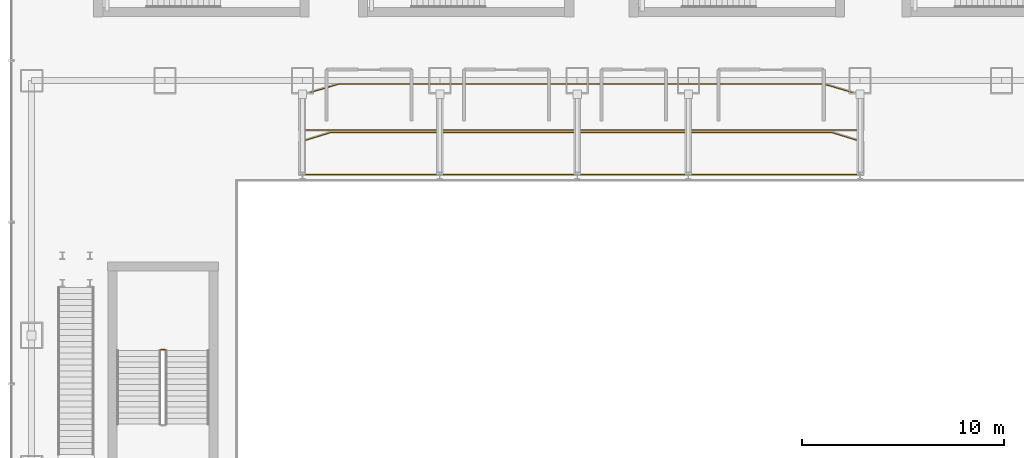
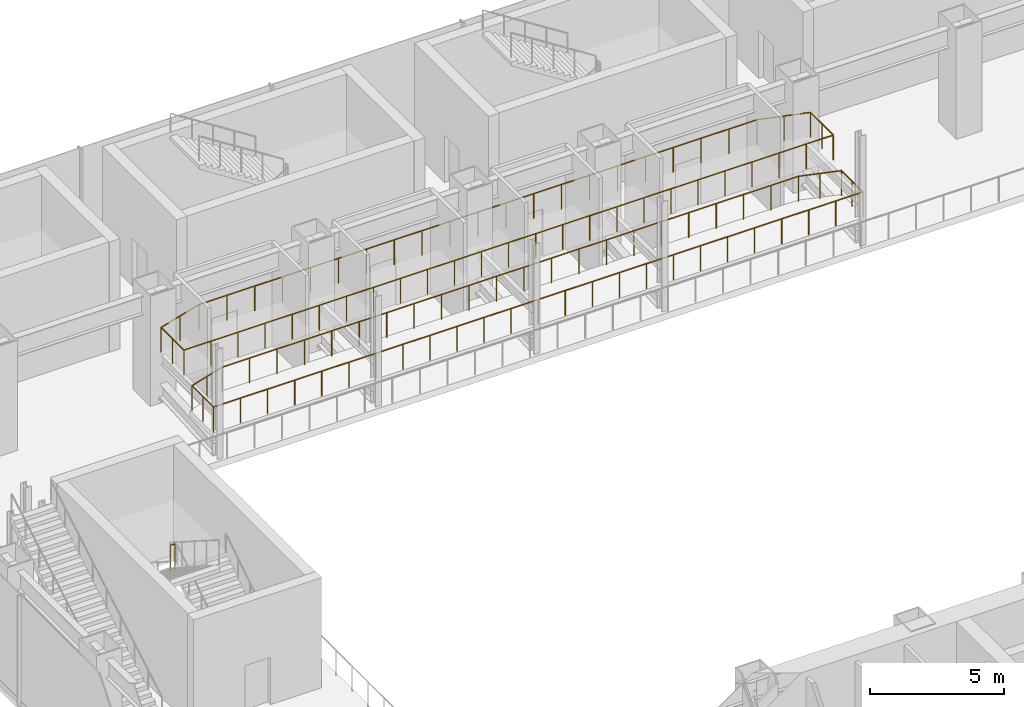
# One storey, part 36 of 40: 3 railings.
"""IFC4 building model written with IfcOpenShell, lengths in metres."""

from ifc_helpers import new_model, si_unit, derived_unit, direction, frame, origin, origin_2d, place, context, subcontext, project, spatial, circle, extrude, material, type_object, element, save


model = new_model("IFC4")

# Units and contexts
model_context = context("Model", 3, precision=1e-05, world=origin(), true_north=direction((0.0, 1.0)))
body_context = subcontext(model_context, "Body", "Model", "MODEL_VIEW")
ifc_project = project(units=[si_unit("LENGTHUNIT", "METRE"), si_unit("AREAUNIT", "SQUARE_METRE"), si_unit("VOLUMEUNIT", "CUBIC_METRE"), si_unit("PLANEANGLEUNIT", "RADIAN"), si_unit("MASSUNIT", "GRAM", prefix="KILO"), derived_unit("THERMALTRANSMITTANCEUNIT", [(si_unit("POWERUNIT", "WATT"), 1), (si_unit("LENGTHUNIT", "METRE"), -2), (si_unit("THERMODYNAMICTEMPERATUREUNIT", "KELVIN"), -1)])], contexts=[model_context])

# Site, building, storey
site_placement = place(None, origin())
site = spatial("IfcSite", under=ifc_project, at=site_placement, CompositionType="ELEMENT")
building_placement = place(site_placement, origin())
building = spatial("IfcBuilding", under=site, at=building_placement, Name="Skarnbrae Concourse Arena and Tower", CompositionType="ELEMENT")
storey_placement = place(building_placement, frame((0.0, 0.0, 6.0)))
storey = spatial("IfcBuildingStorey", under=building, at=storey_placement, Name="L01", CompositionType="ELEMENT", Elevation=6.0)

# Railings
ifc_material = material(Name="Steel CSA G40.21 350W", Category="steel")
railing_type_1 = type_object("IfcRailingType", Name="RAIL-GUARD-1150", PredefinedType="GUARDRAIL", material=ifc_material)
railing_1_placement = place(storey_placement, frame((14.260009765625, 42.360107421875, 1.1201171875)))
element("IfcRailing", 1, at=railing_1_placement, inside=storey, type_object=railing_type_1, Name="L01 Arena seating tier lower terrace guardrail", PredefinedType="GUARDRAIL", context=body_context, shape_type="SweptSolid", body=[
    extrude(circle(Radius=0.02392578125, at=origin_2d()), frame((0.0, 0.0, 1.1259765625), z_axis=(1.0, 0.0, 0.0), x_axis=(0.0, 1.0, 0.0)), (0.0, 0.0, 1.0), 27.8798828125),
    extrude(circle(Radius=0.02392578125, at=origin_2d()), frame((27.8798828125, 0.0, 1.1259765625), z_axis=(0.0, 1.0, 0.0), x_axis=(-1.0, 0.0, 0.0)), (0.0, 0.0, 1.0), 1.599853515625),
    extrude(circle(Radius=0.02392578125, at=origin_2d()), frame((27.8798828125, 1.599853515625, 1.1259765625), z_axis=(-0.955772539449, 0.29410687315, 0.0), x_axis=(-0.29410687315, -0.955772539449, 0.0)), (0.0, 0.0, 1.0), 1.632080078125),
    extrude(circle(Radius=0.02392578125, at=origin_2d()), frame((26.320068359375, 2.079833984375, 1.1259765625), z_axis=(-1.0, 0.0, 0.0), x_axis=(0.0, -1.0, 0.0)), (0.0, 0.0, 1.0), 24.760009765625),
    extrude(circle(Radius=0.02392578125, at=origin_2d()), frame((1.56005859375, 2.079833984375, 1.1259765625), z_axis=(-0.955785476607, -0.294064827388, 0.0), x_axis=(0.294064827388, -0.955785476607, 0.0)), (0.0, 0.0, 1.0), 1.63232421875),
    extrude(circle(Radius=0.02392578125, at=origin_2d()), frame((0.0, 1.599853515625, 1.1259765625), z_axis=(0.0, -1.0, 0.0), x_axis=(1.0, 0.0, 0.0)), (0.0, 0.0, 1.0), 1.599853515625),
    extrude(circle(Radius=0.02099609375, at=origin_2d()), origin(), (0.0, 0.0, 1.0), 1.101806640625),
    extrude(circle(Radius=0.02099609375, at=origin_2d()), frame((1.16162109375, 0.0, 0.0)), (0.0, 0.0, 1.0), 1.101806640625),
    extrude(circle(Radius=0.02099609375, at=origin_2d()), frame((2.3232421875, 0.0, 0.0)), (0.0, 0.0, 1.0), 1.101806640625),
    extrude(circle(Radius=0.02099609375, at=origin_2d()), frame((3.48486328125, 0.0, 0.0)), (0.0, 0.0, 1.0), 1.101806640625),
    extrude(circle(Radius=0.02099609375, at=origin_2d()), frame((4.646728515625, 0.0, 0.0)), (0.0, 0.0, 1.0), 1.101806640625),
    extrude(circle(Radius=0.02099609375, at=origin_2d()), frame((5.808349609375, 0.0, 0.0)), (0.0, 0.0, 1.0), 1.101806640625),
    extrude(circle(Radius=0.02099609375, at=origin_2d()), frame((6.969970703125, 0.0, 0.0)), (0.0, 0.0, 1.0), 1.101806640625),
    extrude(circle(Radius=0.02099609375, at=origin_2d()), frame((8.131591796875, 0.0, 0.0)), (0.0, 0.0, 1.0), 1.101806640625),
    extrude(circle(Radius=0.02099609375, at=origin_2d()), frame((9.293212890625, 0.0, 0.0)), (0.0, 0.0, 1.0), 1.101806640625),
    extrude(circle(Radius=0.02099609375, at=origin_2d()), frame((10.455078125, 0.0, 0.0)), (0.0, 0.0, 1.0), 1.101806640625),
    extrude(circle(Radius=0.02099609375, at=origin_2d()), frame((11.61669921875, 0.0, 0.0)), (0.0, 0.0, 1.0), 1.101806640625),
    extrude(circle(Radius=0.02099609375, at=origin_2d()), frame((12.7783203125, 0.0, 0.0)), (0.0, 0.0, 1.0), 1.101806640625),
    extrude(circle(Radius=0.02099609375, at=origin_2d()), frame((13.93994140625, 0.0, 0.0)), (0.0, 0.0, 1.0), 1.101806640625),
    extrude(circle(Radius=0.02099609375, at=origin_2d()), frame((15.1015625, 0.0, 0.0)), (0.0, 0.0, 1.0), 1.101806640625),
    extrude(circle(Radius=0.02099609375, at=origin_2d()), frame((16.26318359375, 0.0, 0.0)), (0.0, 0.0, 1.0), 1.101806640625),
    extrude(circle(Radius=0.02099609375, at=origin_2d()), frame((17.4248046875, 0.0, 0.0)), (0.0, 0.0, 1.0), 1.101806640625),
    extrude(circle(Radius=0.02099609375, at=origin_2d()), frame((18.586669921875, 0.0, 0.0)), (0.0, 0.0, 1.0), 1.101806640625),
    extrude(circle(Radius=0.02099609375, at=origin_2d()), frame((19.748291015625, 0.0, 0.0)), (0.0, 0.0, 1.0), 1.101806640625),
    extrude(circle(Radius=0.02099609375, at=origin_2d()), frame((20.909912109375, 0.0, 0.0)), (0.0, 0.0, 1.0), 1.101806640625),
    extrude(circle(Radius=0.02099609375, at=origin_2d()), frame((22.071533203125, 0.0, 0.0)), (0.0, 0.0, 1.0), 1.101806640625),
    extrude(circle(Radius=0.02099609375, at=origin_2d()), frame((23.233154296875, 0.0, 0.0)), (0.0, 0.0, 1.0), 1.101806640625),
    extrude(circle(Radius=0.02099609375, at=origin_2d()), frame((24.39501953125, 0.0, 0.0)), (0.0, 0.0, 1.0), 1.101806640625),
    extrude(circle(Radius=0.02099609375, at=origin_2d()), frame((25.556640625, 0.0, 0.0)), (0.0, 0.0, 1.0), 1.101806640625),
    extrude(circle(Radius=0.02099609375, at=origin_2d()), frame((26.71826171875, 0.0, 0.0)), (0.0, 0.0, 1.0), 1.101806640625),
    extrude(circle(Radius=0.02099609375, at=origin_2d()), frame((27.8798828125, 0.0, 0.0)), (0.0, 0.0, 1.0), 1.101806640625),
    extrude(circle(Radius=0.02099609375, at=origin_2d()), frame((27.8798828125, 0.7998046875, 0.0)), (0.0, 0.0, 1.0), 1.101806640625),
    extrude(circle(Radius=0.02099609375, at=origin_2d()), frame((27.8798828125, 1.599853515625, 0.0)), (0.0, 0.0, 1.0), 1.101806640625),
    extrude(circle(Radius=0.02099609375, at=origin_2d()), frame((27.10009765625, 1.83984375, 0.0)), (0.0, 0.0, 1.0), 1.101806640625),
    extrude(circle(Radius=0.02099609375, at=origin_2d()), frame((26.320068359375, 2.079833984375, 0.0)), (0.0, 0.0, 1.0), 1.101806640625),
    extrude(circle(Radius=0.02099609375, at=origin_2d()), frame((25.14111328125, 2.079833984375, 0.0)), (0.0, 0.0, 1.0), 1.101806640625),
    extrude(circle(Radius=0.02099609375, at=origin_2d()), frame((23.9619140625, 2.079833984375, 0.0)), (0.0, 0.0, 1.0), 1.101806640625),
    extrude(circle(Radius=0.02099609375, at=origin_2d()), frame((22.782958984375, 2.079833984375, 0.0)), (0.0, 0.0, 1.0), 1.101806640625),
    extrude(circle(Radius=0.02099609375, at=origin_2d()), frame((21.603759765625, 2.079833984375, 0.0)), (0.0, 0.0, 1.0), 1.101806640625),
    extrude(circle(Radius=0.02099609375, at=origin_2d()), frame((20.4248046875, 2.079833984375, 0.0)), (0.0, 0.0, 1.0), 1.101806640625),
    extrude(circle(Radius=0.02099609375, at=origin_2d()), frame((19.245849609375, 2.079833984375, 0.0)), (0.0, 0.0, 1.0), 1.101806640625),
    extrude(circle(Radius=0.02099609375, at=origin_2d()), frame((18.066650390625, 2.079833984375, 0.0)), (0.0, 0.0, 1.0), 1.101806640625),
    extrude(circle(Radius=0.02099609375, at=origin_2d()), frame((16.8876953125, 2.079833984375, 0.0)), (0.0, 0.0, 1.0), 1.101806640625),
    extrude(circle(Radius=0.02099609375, at=origin_2d()), frame((15.708740234375, 2.079833984375, 0.0)), (0.0, 0.0, 1.0), 1.101806640625),
    extrude(circle(Radius=0.02099609375, at=origin_2d()), frame((14.529541015625, 2.079833984375, 0.0)), (0.0, 0.0, 1.0), 1.101806640625),
    extrude(circle(Radius=0.02099609375, at=origin_2d()), frame((13.3505859375, 2.079833984375, 0.0)), (0.0, 0.0, 1.0), 1.101806640625),
    extrude(circle(Radius=0.02099609375, at=origin_2d()), frame((12.17138671875, 2.079833984375, 0.0)), (0.0, 0.0, 1.0), 1.101806640625),
    extrude(circle(Radius=0.02099609375, at=origin_2d()), frame((10.992431640625, 2.079833984375, 0.0)), (0.0, 0.0, 1.0), 1.101806640625),
    extrude(circle(Radius=0.02099609375, at=origin_2d()), frame((9.8134765625, 2.079833984375, 0.0)), (0.0, 0.0, 1.0), 1.101806640625),
    extrude(circle(Radius=0.02099609375, at=origin_2d()), frame((8.63427734375, 2.079833984375, 0.0)), (0.0, 0.0, 1.0), 1.101806640625),
    extrude(circle(Radius=0.02099609375, at=origin_2d()), frame((7.455322265625, 2.079833984375, 0.0)), (0.0, 0.0, 1.0), 1.101806640625),
    extrude(circle(Radius=0.02099609375, at=origin_2d()), frame((6.2763671875, 2.079833984375, 0.0)), (0.0, 0.0, 1.0), 1.101806640625),
    extrude(circle(Radius=0.02099609375, at=origin_2d()), frame((5.09716796875, 2.079833984375, 0.0)), (0.0, 0.0, 1.0), 1.101806640625),
    extrude(circle(Radius=0.02099609375, at=origin_2d()), frame((3.918212890625, 2.079833984375, 0.0)), (0.0, 0.0, 1.0), 1.101806640625),
    extrude(circle(Radius=0.02099609375, at=origin_2d()), frame((2.739013671875, 2.079833984375, 0.0)), (0.0, 0.0, 1.0), 1.101806640625),
    extrude(circle(Radius=0.02099609375, at=origin_2d()), frame((1.56005859375, 2.079833984375, 0.0)), (0.0, 0.0, 1.0), 1.101806640625),
    extrude(circle(Radius=0.02099609375, at=origin_2d()), frame((0.780029296875, 1.83984375, 0.0)), (0.0, 0.0, 1.0), 1.101806640625),
    extrude(circle(Radius=0.02099609375, at=origin_2d()), frame((0.0, 1.599853515625, 0.0)), (0.0, 0.0, 1.0), 1.101806640625),
    extrude(circle(Radius=0.02099609375, at=origin_2d()), frame((0.0, 0.7998046875, 0.0)), (0.0, 0.0, 1.0), 1.101806640625),
])
railing_2_placement = place(storey_placement, frame((14.260009765625, 44.56005859375, 2.3701171875)))
element("IfcRailing", 2, at=railing_2_placement, inside=storey, type_object=railing_type_1, Name="L01 Arena seating tier upper terrace guardrail", PredefinedType="GUARDRAIL", context=body_context, shape_type="SweptSolid", body=[
    extrude(circle(Radius=0.02392578125, at=origin_2d()), frame((0.0, 0.0, 1.1259765625), z_axis=(1.0, 0.0, 0.0), x_axis=(0.0, 1.0, 0.0)), (0.0, 0.0, 1.0), 27.8798828125),
    extrude(circle(Radius=0.02392578125, at=origin_2d()), frame((27.8798828125, 0.0, 1.1259765625), z_axis=(0.0, 1.0, 0.0), x_axis=(-1.0, 0.0, 0.0)), (0.0, 0.0, 1.0), 1.699951171875),
    extrude(circle(Radius=0.02392578125, at=origin_2d()), frame((27.8798828125, 1.699951171875, 1.1259765625), z_axis=(-0.958884825768, 0.283795508972, 0.0), x_axis=(-0.283795508972, -0.958884825768, 0.0)), (0.0, 0.0, 1.0), 2.0439453125),
    extrude(circle(Radius=0.02392578125, at=origin_2d()), frame((25.919921875, 2.280029296875, 1.1259765625), z_axis=(-1.0, 0.0, 0.0), x_axis=(0.0, -1.0, 0.0)), (0.0, 0.0, 1.0), 23.9599609375),
    extrude(circle(Radius=0.02392578125, at=origin_2d()), frame((1.9599609375, 2.280029296875, 1.1259765625), z_axis=(-0.958884825768, -0.283795508972, 0.0), x_axis=(0.283795508972, -0.958884825768, 0.0)), (0.0, 0.0, 1.0), 2.0439453125),
    extrude(circle(Radius=0.02392578125, at=origin_2d()), frame((0.0, 1.699951171875, 1.1259765625), z_axis=(0.0, -1.0, 0.0), x_axis=(1.0, 0.0, 0.0)), (0.0, 0.0, 1.0), 1.699951171875),
    extrude(circle(Radius=0.02099609375, at=origin_2d()), origin(), (0.0, 0.0, 1.0), 1.101806640625),
    extrude(circle(Radius=0.02099609375, at=origin_2d()), frame((1.16162109375, 0.0, 0.0)), (0.0, 0.0, 1.0), 1.101806640625),
    extrude(circle(Radius=0.02099609375, at=origin_2d()), frame((2.3232421875, 0.0, 0.0)), (0.0, 0.0, 1.0), 1.101806640625),
    extrude(circle(Radius=0.02099609375, at=origin_2d()), frame((3.48486328125, 0.0, 0.0)), (0.0, 0.0, 1.0), 1.101806640625),
    extrude(circle(Radius=0.02099609375, at=origin_2d()), frame((4.646728515625, 0.0, 0.0)), (0.0, 0.0, 1.0), 1.101806640625),
    extrude(circle(Radius=0.02099609375, at=origin_2d()), frame((5.808349609375, 0.0, 0.0)), (0.0, 0.0, 1.0), 1.101806640625),
    extrude(circle(Radius=0.02099609375, at=origin_2d()), frame((6.969970703125, 0.0, 0.0)), (0.0, 0.0, 1.0), 1.101806640625),
    extrude(circle(Radius=0.02099609375, at=origin_2d()), frame((8.131591796875, 0.0, 0.0)), (0.0, 0.0, 1.0), 1.101806640625),
    extrude(circle(Radius=0.02099609375, at=origin_2d()), frame((9.293212890625, 0.0, 0.0)), (0.0, 0.0, 1.0), 1.101806640625),
    extrude(circle(Radius=0.02099609375, at=origin_2d()), frame((10.455078125, 0.0, 0.0)), (0.0, 0.0, 1.0), 1.101806640625),
    extrude(circle(Radius=0.02099609375, at=origin_2d()), frame((11.61669921875, 0.0, 0.0)), (0.0, 0.0, 1.0), 1.101806640625),
    extrude(circle(Radius=0.02099609375, at=origin_2d()), frame((12.7783203125, 0.0, 0.0)), (0.0, 0.0, 1.0), 1.101806640625),
    extrude(circle(Radius=0.02099609375, at=origin_2d()), frame((13.93994140625, 0.0, 0.0)), (0.0, 0.0, 1.0), 1.101806640625),
    extrude(circle(Radius=0.02099609375, at=origin_2d()), frame((15.1015625, 0.0, 0.0)), (0.0, 0.0, 1.0), 1.101806640625),
    extrude(circle(Radius=0.02099609375, at=origin_2d()), frame((16.26318359375, 0.0, 0.0)), (0.0, 0.0, 1.0), 1.101806640625),
    extrude(circle(Radius=0.02099609375, at=origin_2d()), frame((17.4248046875, 0.0, 0.0)), (0.0, 0.0, 1.0), 1.101806640625),
    extrude(circle(Radius=0.02099609375, at=origin_2d()), frame((18.586669921875, 0.0, 0.0)), (0.0, 0.0, 1.0), 1.101806640625),
    extrude(circle(Radius=0.02099609375, at=origin_2d()), frame((19.748291015625, 0.0, 0.0)), (0.0, 0.0, 1.0), 1.101806640625),
    extrude(circle(Radius=0.02099609375, at=origin_2d()), frame((20.909912109375, 0.0, 0.0)), (0.0, 0.0, 1.0), 1.101806640625),
    extrude(circle(Radius=0.02099609375, at=origin_2d()), frame((22.071533203125, 0.0, 0.0)), (0.0, 0.0, 1.0), 1.101806640625),
    extrude(circle(Radius=0.02099609375, at=origin_2d()), frame((23.233154296875, 0.0, 0.0)), (0.0, 0.0, 1.0), 1.101806640625),
    extrude(circle(Radius=0.02099609375, at=origin_2d()), frame((24.39501953125, 0.0, 0.0)), (0.0, 0.0, 1.0), 1.101806640625),
    extrude(circle(Radius=0.02099609375, at=origin_2d()), frame((25.556640625, 0.0, 0.0)), (0.0, 0.0, 1.0), 1.101806640625),
    extrude(circle(Radius=0.02099609375, at=origin_2d()), frame((26.71826171875, 0.0, 0.0)), (0.0, 0.0, 1.0), 1.101806640625),
    extrude(circle(Radius=0.02099609375, at=origin_2d()), frame((27.8798828125, 0.0, 0.0)), (0.0, 0.0, 1.0), 1.101806640625),
    extrude(circle(Radius=0.02099609375, at=origin_2d()), frame((27.8798828125, 0.85009765625, 0.0)), (0.0, 0.0, 1.0), 1.101806640625),
    extrude(circle(Radius=0.02099609375, at=origin_2d()), frame((27.8798828125, 1.699951171875, 0.0)), (0.0, 0.0, 1.0), 1.101806640625),
    extrude(circle(Radius=0.02099609375, at=origin_2d()), frame((26.89990234375, 1.989990234375, 0.0)), (0.0, 0.0, 1.0), 1.101806640625),
    extrude(circle(Radius=0.02099609375, at=origin_2d()), frame((25.919921875, 2.280029296875, 0.0)), (0.0, 0.0, 1.0), 1.101806640625),
    extrude(circle(Radius=0.02099609375, at=origin_2d()), frame((24.721923828125, 2.280029296875, 0.0)), (0.0, 0.0, 1.0), 1.101806640625),
    extrude(circle(Radius=0.02099609375, at=origin_2d()), frame((23.52392578125, 2.280029296875, 0.0)), (0.0, 0.0, 1.0), 1.101806640625),
    extrude(circle(Radius=0.02099609375, at=origin_2d()), frame((22.325927734375, 2.280029296875, 0.0)), (0.0, 0.0, 1.0), 1.101806640625),
    extrude(circle(Radius=0.02099609375, at=origin_2d()), frame((21.1279296875, 2.280029296875, 0.0)), (0.0, 0.0, 1.0), 1.101806640625),
    extrude(circle(Radius=0.02099609375, at=origin_2d()), frame((19.929931640625, 2.280029296875, 0.0)), (0.0, 0.0, 1.0), 1.101806640625),
    extrude(circle(Radius=0.02099609375, at=origin_2d()), frame((18.73193359375, 2.280029296875, 0.0)), (0.0, 0.0, 1.0), 1.101806640625),
    extrude(circle(Radius=0.02099609375, at=origin_2d()), frame((17.533935546875, 2.280029296875, 0.0)), (0.0, 0.0, 1.0), 1.101806640625),
    extrude(circle(Radius=0.02099609375, at=origin_2d()), frame((16.3359375, 2.280029296875, 0.0)), (0.0, 0.0, 1.0), 1.101806640625),
    extrude(circle(Radius=0.02099609375, at=origin_2d()), frame((15.137939453125, 2.280029296875, 0.0)), (0.0, 0.0, 1.0), 1.101806640625),
    extrude(circle(Radius=0.02099609375, at=origin_2d()), frame((13.93994140625, 2.280029296875, 0.0)), (0.0, 0.0, 1.0), 1.101806640625),
    extrude(circle(Radius=0.02099609375, at=origin_2d()), frame((12.741943359375, 2.280029296875, 0.0)), (0.0, 0.0, 1.0), 1.101806640625),
    extrude(circle(Radius=0.02099609375, at=origin_2d()), frame((11.5439453125, 2.280029296875, 0.0)), (0.0, 0.0, 1.0), 1.101806640625),
    extrude(circle(Radius=0.02099609375, at=origin_2d()), frame((10.345947265625, 2.280029296875, 0.0)), (0.0, 0.0, 1.0), 1.101806640625),
    extrude(circle(Radius=0.02099609375, at=origin_2d()), frame((9.14794921875, 2.280029296875, 0.0)), (0.0, 0.0, 1.0), 1.101806640625),
    extrude(circle(Radius=0.02099609375, at=origin_2d()), frame((7.949951171875, 2.280029296875, 0.0)), (0.0, 0.0, 1.0), 1.101806640625),
    extrude(circle(Radius=0.02099609375, at=origin_2d()), frame((6.751953125, 2.280029296875, 0.0)), (0.0, 0.0, 1.0), 1.101806640625),
    extrude(circle(Radius=0.02099609375, at=origin_2d()), frame((5.553955078125, 2.280029296875, 0.0)), (0.0, 0.0, 1.0), 1.101806640625),
    extrude(circle(Radius=0.02099609375, at=origin_2d()), frame((4.35595703125, 2.280029296875, 0.0)), (0.0, 0.0, 1.0), 1.101806640625),
    extrude(circle(Radius=0.02099609375, at=origin_2d()), frame((3.157958984375, 2.280029296875, 0.0)), (0.0, 0.0, 1.0), 1.101806640625),
    extrude(circle(Radius=0.02099609375, at=origin_2d()), frame((1.9599609375, 2.280029296875, 0.0)), (0.0, 0.0, 1.0), 1.101806640625),
    extrude(circle(Radius=0.02099609375, at=origin_2d()), frame((0.97998046875, 1.989990234375, 0.0)), (0.0, 0.0, 1.0), 1.101806640625),
    extrude(circle(Radius=0.02099609375, at=origin_2d()), frame((0.0, 1.699951171875, 0.0)), (0.0, 0.0, 1.0), 1.101806640625),
    extrude(circle(Radius=0.02099609375, at=origin_2d()), frame((0.0, 0.85009765625, 0.0)), (0.0, 0.0, 1.0), 1.101806640625),
])
railing_type_2 = type_object("IfcRailingType", Name="RAIL-STAIR-GUARD-1150", PredefinedType="GUARDRAIL", material=ifc_material)
railing_3_placement = place(storey_placement, frame((7.60009765625, 33.68994140625, 2.5)))
element("IfcRailing", 3, at=railing_3_placement, inside=storey, type_object=railing_type_2, Name="L01 ST-A3 stair guard 2", PredefinedType="GUARDRAIL", context=body_context, shape_type="SweptSolid", body=[
    extrude(circle(Radius=0.02392578125, at=origin_2d()), frame((0.0, 0.0, 1.1259765625), z_axis=(-1.0, 0.0, 0.0), x_axis=(0.0, -1.0, 0.0)), (0.0, 0.0, 1.0), 0.2001953125),
    extrude(circle(Radius=0.02099609375, at=origin_2d()), origin(), (0.0, 0.0, 1.0), 1.101806640625),
    extrude(circle(Radius=0.02099609375, at=origin_2d()), frame((-0.2001953125, 0.0, 0.0)), (0.0, 0.0, 1.0), 1.101806640625),
])

save(model, "model.ifc")
